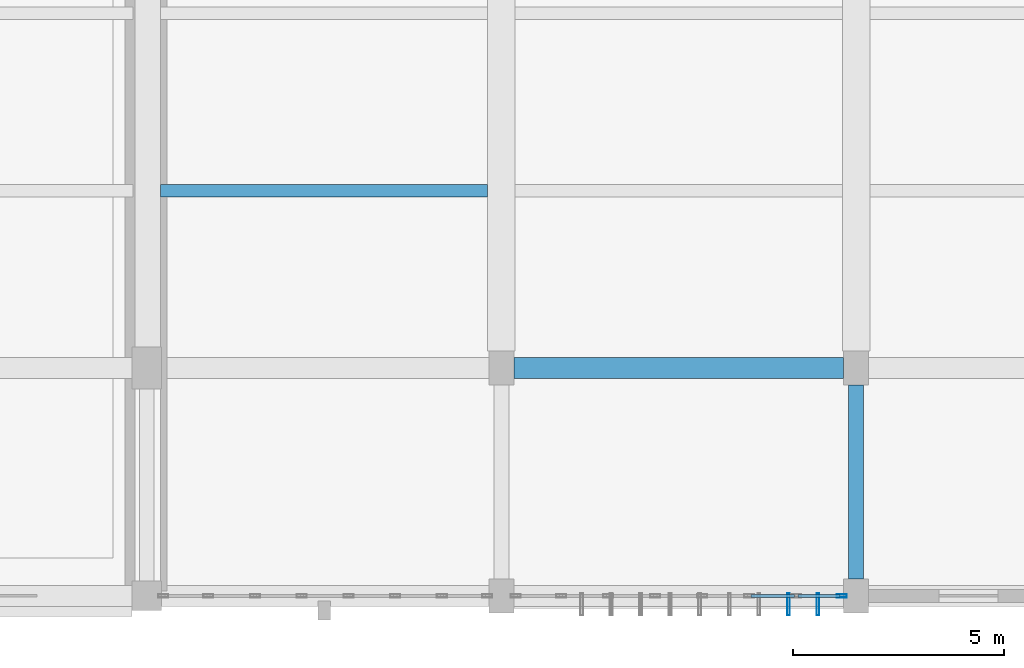
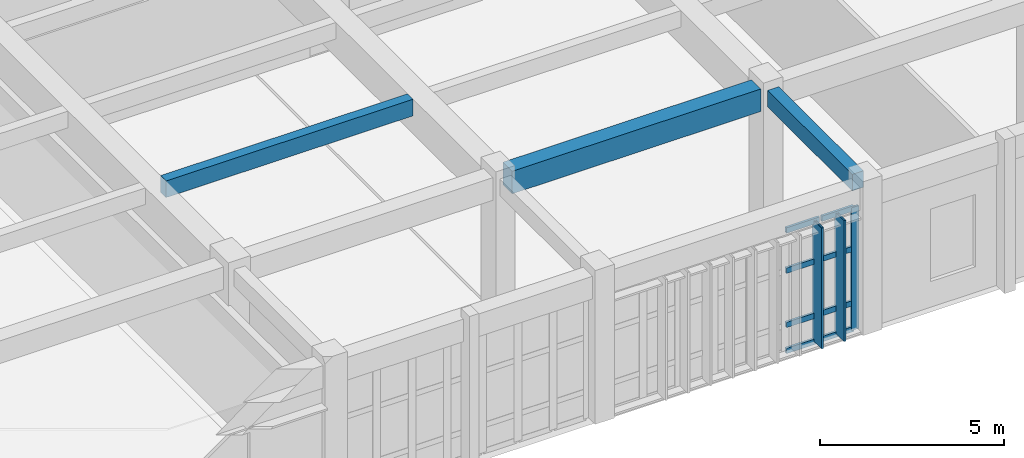
# One storey, part 28 of 106: 11 members, 3 beams, 1 element without a shape of its own.
"""IFC4 building model written with IfcOpenShell, lengths in metres."""

from ifc_helpers import new_model, si_unit, direction, frame, origin, origin_2d, place, context, subcontext, project, spatial, rectangle, hollow_rectangle, extrude, material, layer, layer_set, material_profile, profile_set, type_object, element, aggregate, save


model = new_model("IFC4")

# Units and contexts
model_context = context("Model", 3, precision=1e-05, world=origin(), true_north=direction((0.0, 1.0)))
body_context = subcontext(model_context, "Body", "Model", "MODEL_VIEW")
ifc_project = project(units=[si_unit("LENGTHUNIT", "METRE"), si_unit("AREAUNIT", "SQUARE_METRE"), si_unit("VOLUMEUNIT", "CUBIC_METRE"), si_unit("PLANEANGLEUNIT", "RADIAN"), si_unit("MASSUNIT", "GRAM", prefix="KILO")], contexts=[model_context])

# Site, building, storey
site_placement = place(None, origin())
site = spatial("IfcSite", under=ifc_project, at=site_placement, CompositionType="ELEMENT")
building_placement = place(site_placement, origin())
building = spatial("IfcBuilding", under=site, at=building_placement, Name="Krzemoval Escarpment Law Courts", CompositionType="ELEMENT")
storey_placement = place(building_placement, frame((0.0, 0.0, 5.10009765625)))
storey = spatial("IfcBuildingStorey", under=building, at=storey_placement, Name="L01", CompositionType="ELEMENT", Elevation=5.10009765625)

# Beams
ifc_material_1 = material(Name="Concrete C40/50", Category="concrete")
ifc_material_profile_1 = material_profile(ifc_material_1, rectangle(XDim=0.35009765625, YDim=0.550048828125, at=origin_2d()), Name="RCB 350x550")
ifc_profile_set_1 = profile_set([ifc_material_profile_1], Name="Concrete C40/50")
beam_type_1 = type_object("IfcBeamType", Name="BM-RC-350x550", PredefinedType="BEAM", material=ifc_profile_set_1)
beam_1_placement = place(storey_placement, frame((126.0, 0.39990234375, 4.544921875), z_axis=(0.0, 1.0, 0.0), x_axis=(-1.0, 0.0, 0.0)))
element("IfcBeam", 1, at=beam_1_placement, inside=storey, type_object=beam_type_1, Name="Beam FG-L01-1508", PredefinedType="BEAM", context=body_context, shape_type="SweptSolid", body=[
    extrude(rectangle(XDim=0.35009765625, YDim=0.550048828125, at=origin_2d()), origin(), (0.0, 0.0, 1.0), 4.60009765625),
])
ifc_material_2 = material(Name="Concrete C40/50", Category="concrete")
ifc_material_profile_2 = material_profile(ifc_material_2, rectangle(XDim=0.5, YDim=0.75, at=origin_2d()), Name="RCB 500x750")
ifc_profile_set_2 = profile_set([ifc_material_profile_2], Name="Concrete C40/50")
beam_type_2 = type_object("IfcBeamType", Name="BM-RC-500x750", PredefinedType="BEAM", material=ifc_profile_set_2)
beam_2_placement = place(storey_placement, frame((117.89990234375, 5.39990234375, 4.44482421875), z_axis=(1.0, 0.0, 0.0), x_axis=(0.0, 1.0, 0.0)))
element("IfcBeam", 2, at=beam_2_placement, inside=storey, type_object=beam_type_2, Name="Beam FG-L01-1177", PredefinedType="BEAM", context=body_context, shape_type="SweptSolid", body=[
    extrude(rectangle(XDim=0.5, YDim=0.75, at=origin_2d()), origin(), (0.0, 0.0, 1.0), 7.800048828125),
])

# Curtain wall, members
ifc_material_3 = material(Name="Aluminium 6063-T6", Category="aluminium")
ifc_layer = layer(ifc_material_3, 0.239990234375)
ifc_layer_set = layer_set([ifc_layer], Name="Aluminium 6063-T6")
curtain_wall_type = type_object("IfcCurtainWallType", Name="CW-LIBR-4800", PredefinedType="USERDEFINED", material=ifc_layer_set)
curtain_wall_placement = place(storey_placement, origin())
curtain_wall = element("IfcCurtainWall", 3, at=curtain_wall_placement, inside=storey, type_object=curtain_wall_type, Name="Unitised Curtain Wall FCW-L01-043", ObjectType="UNITISED_CURTAIN_WALL", PredefinedType="USERDEFINED")
ifc_material_4 = material(Name="Aluminium 6063-T6", Category="aluminium")
ifc_material_profile_3 = material_profile(ifc_material_4, hollow_rectangle(XDim=0.074951171875, YDim=0.239990234375, WallThickness=0.0048828125, at=origin_2d()), Name="ALU M75x240")
ifc_profile_set_3 = profile_set([ifc_material_profile_3], Name="Aluminium 6063-T6")
member_type_1 = type_object("IfcMemberType", Name="CWM-75x240", PredefinedType="MULLION", material=ifc_profile_set_3)
member_1_placement = place(storey_placement, frame((125.66259765625, 0.0, 0.0), z_axis=(0.0, 0.0, 1.0), x_axis=(0.0, -1.0, 0.0)))
member_1 = element("IfcMember", 4, at=member_1_placement, type_object=member_type_1, Name="FCW-L01-043 mullion 1", PredefinedType="MULLION", context=body_context, shape_type="SweptSolid", body=[
    extrude(hollow_rectangle(XDim=0.074951171875, YDim=0.239990234375, WallThickness=0.0048828125, at=origin_2d()), origin(), (0.0, 0.0, 1.0), 4.06982421875),
])
ifc_material_5 = material(Name="Aluminium 6063-T6", Category="aluminium")
ifc_material_profile_4 = material_profile(ifc_material_5, hollow_rectangle(XDim=0.074951171875, YDim=0.179931640625, WallThickness=0.0048828125, at=origin_2d()), Name="ALU T75x180")
ifc_profile_set_4 = profile_set([ifc_material_profile_4], Name="Aluminium 6063-T6")
member_type_2 = type_object("IfcMemberType", Name="CWT-75x180", PredefinedType="USERDEFINED", material=ifc_profile_set_4)
member_2_placement = place(storey_placement, frame((125.625, 0.0, 0.037353515625), z_axis=(-1.0, 0.0, 0.0), x_axis=(0.0, -1.0, 0.0)))
member_2 = element("IfcMember", 5, at=member_2_placement, type_object=member_type_2, Name="FCW-L01-043 transom 1.1", ObjectType="TRANSOM", PredefinedType="USERDEFINED", context=body_context, shape_type="SweptSolid", body=[
    extrude(hollow_rectangle(XDim=0.074951171875, YDim=0.179931640625, WallThickness=0.0048828125, at=origin_2d()), origin(), (0.0, 0.0, 1.0), 1.001708984375),
])
member_3_placement = place(storey_placement, frame((125.625, 0.0, 0.89990234375), z_axis=(-1.0, 0.0, 0.0), x_axis=(0.0, -1.0, 0.0)))
member_3 = element("IfcMember", 6, at=member_3_placement, type_object=member_type_2, Name="FCW-L01-043 transom 1.2", ObjectType="TRANSOM", PredefinedType="USERDEFINED", context=body_context, shape_type="SweptSolid", body=[
    extrude(hollow_rectangle(XDim=0.074951171875, YDim=0.179931640625, WallThickness=0.0048828125, at=origin_2d()), origin(), (0.0, 0.0, 1.0), 1.001708984375),
])
member_4_placement = place(storey_placement, frame((125.625, 0.0, 2.699951171875), z_axis=(-1.0, 0.0, 0.0), x_axis=(0.0, -1.0, 0.0)))
member_4 = element("IfcMember", 7, at=member_4_placement, type_object=member_type_2, Name="FCW-L01-043 transom 1.3", ObjectType="TRANSOM", PredefinedType="USERDEFINED", context=body_context, shape_type="SweptSolid", body=[
    extrude(hollow_rectangle(XDim=0.074951171875, YDim=0.179931640625, WallThickness=0.0048828125, at=origin_2d()), origin(), (0.0, 0.0, 1.0), 1.001708984375),
])
member_5_placement = place(storey_placement, frame((125.625, 0.0, 4.032470703125), z_axis=(-1.0, 0.0, 0.0), x_axis=(0.0, -1.0, 0.0)))
member_5 = element("IfcMember", 8, at=member_5_placement, type_object=member_type_2, Name="FCW-L01-043 transom 1.4", ObjectType="TRANSOM", PredefinedType="USERDEFINED", context=body_context, shape_type="SweptSolid", body=[
    extrude(hollow_rectangle(XDim=0.074951171875, YDim=0.179931640625, WallThickness=0.0048828125, at=origin_2d()), origin(), (0.0, 0.0, 1.0), 1.001708984375),
])
member_6_placement = place(storey_placement, frame((124.548095703125, 0.0, 0.037353515625), z_axis=(-1.0, 0.0, 0.0), x_axis=(0.0, -1.0, 0.0)))
member_6 = element("IfcMember", 9, at=member_6_placement, type_object=member_type_2, Name="FCW-L01-043 transom 2.1", ObjectType="TRANSOM", PredefinedType="USERDEFINED", context=body_context, shape_type="SweptSolid", body=[
    extrude(hollow_rectangle(XDim=0.074951171875, YDim=0.179931640625, WallThickness=0.0048828125, at=origin_2d()), origin(), (0.0, 0.0, 1.0), 1.0390625),
])
member_7_placement = place(storey_placement, frame((124.548095703125, 0.0, 0.89990234375), z_axis=(-1.0, 0.0, 0.0), x_axis=(0.0, -1.0, 0.0)))
member_7 = element("IfcMember", 10, at=member_7_placement, type_object=member_type_2, Name="FCW-L01-043 transom 2.2", ObjectType="TRANSOM", PredefinedType="USERDEFINED", context=body_context, shape_type="SweptSolid", body=[
    extrude(hollow_rectangle(XDim=0.074951171875, YDim=0.179931640625, WallThickness=0.0048828125, at=origin_2d()), origin(), (0.0, 0.0, 1.0), 1.0390625),
])
member_8_placement = place(storey_placement, frame((124.548095703125, 0.0, 2.699951171875), z_axis=(-1.0, 0.0, 0.0), x_axis=(0.0, -1.0, 0.0)))
member_8 = element("IfcMember", 11, at=member_8_placement, type_object=member_type_2, Name="FCW-L01-043 transom 2.3", ObjectType="TRANSOM", PredefinedType="USERDEFINED", context=body_context, shape_type="SweptSolid", body=[
    extrude(hollow_rectangle(XDim=0.074951171875, YDim=0.179931640625, WallThickness=0.0048828125, at=origin_2d()), origin(), (0.0, 0.0, 1.0), 1.0390625),
])
member_9_placement = place(storey_placement, frame((124.548095703125, 0.0, 4.032470703125), z_axis=(-1.0, 0.0, 0.0), x_axis=(0.0, -1.0, 0.0)))
member_9 = element("IfcMember", 12, at=member_9_placement, type_object=member_type_2, Name="FCW-L01-043 transom 2.4", ObjectType="TRANSOM", PredefinedType="USERDEFINED", context=body_context, shape_type="SweptSolid", body=[
    extrude(hollow_rectangle(XDim=0.074951171875, YDim=0.179931640625, WallThickness=0.0048828125, at=origin_2d()), origin(), (0.0, 0.0, 1.0), 1.0390625),
])
aggregate(curtain_wall, [member_1, member_2, member_3, member_4, member_5, member_6, member_7, member_8, member_9])

# Beam
ifc_material_6 = material(Name="Concrete C40/50", Category="concrete")
ifc_material_profile_5 = material_profile(ifc_material_6, rectangle(XDim=0.300048828125, YDim=0.550048828125, at=origin_2d()), Name="RCB 300x550")
ifc_profile_set_5 = profile_set([ifc_material_profile_5], Name="Concrete C40/50")
beam_type_3 = type_object("IfcBeamType", Name="JST-RC-300x550", PredefinedType="JOIST", material=ifc_profile_set_5)
beam_3_placement = place(storey_placement, frame((109.52490234375, 9.60009765625, 4.544921875), z_axis=(1.0, 0.0, 0.0), x_axis=(0.0, 1.0, 0.0)))
element("IfcBeam", 13, at=beam_3_placement, inside=storey, type_object=beam_type_3, Name="Secondary Joist FJ-L01-1671", PredefinedType="JOIST", context=body_context, shape_type="SweptSolid", body=[
    extrude(rectangle(XDim=0.300048828125, YDim=0.550048828125, at=origin_2d()), origin(), (0.0, 0.0, 1.0), 7.75),
])

# Members
ifc_material_7 = material(Name="Anodised Aluminium Alloy 6063-T6", Category="aluminium")
ifc_material_profile_6 = material_profile(ifc_material_7, hollow_rectangle(XDim=0.06494140625, YDim=0.52001953125, WallThickness=0.00439453125, at=origin_2d()), Name="ALU LVR 65x520")
ifc_profile_set_6 = profile_set([ifc_material_profile_6], Name="Anodised Aluminium Alloy 6063-T6")
member_type_3 = type_object("IfcMemberType", Name="LVR-ALU-520", PredefinedType="USERDEFINED", material=ifc_profile_set_6)
for number, where, z_axis, x_axis, name in (
    (14, (125.10009765625, -0.199951171875, 0.059814453125), (0.0, 0.0, 1.0), (1.0, 0.0, 0.0), "Sunshade Louvre Fin FLV-L01-0155"),
    (15, (124.39990234375, -0.199951171875, 0.059814453125), (0.0, 0.0, 1.0), (1.0, 0.0, 0.0), "Sunshade Louvre Fin FLV-L01-0156"),
):
    element("IfcMember", number, at=place(storey_placement, frame(where, z_axis=z_axis, x_axis=x_axis)), inside=storey, type_object=member_type_3, Name=name, ObjectType="SUNSHADE_LOUVRE", PredefinedType="USERDEFINED", context=body_context, shape_type="SweptSolid", body=[
        extrude(hollow_rectangle(XDim=0.06494140625, YDim=0.52001953125, WallThickness=0.00439453125, at=origin_2d()), origin(), (0.0, 0.0, 1.0), 4.010009765625),
    ])

save(model, "model.ifc")
